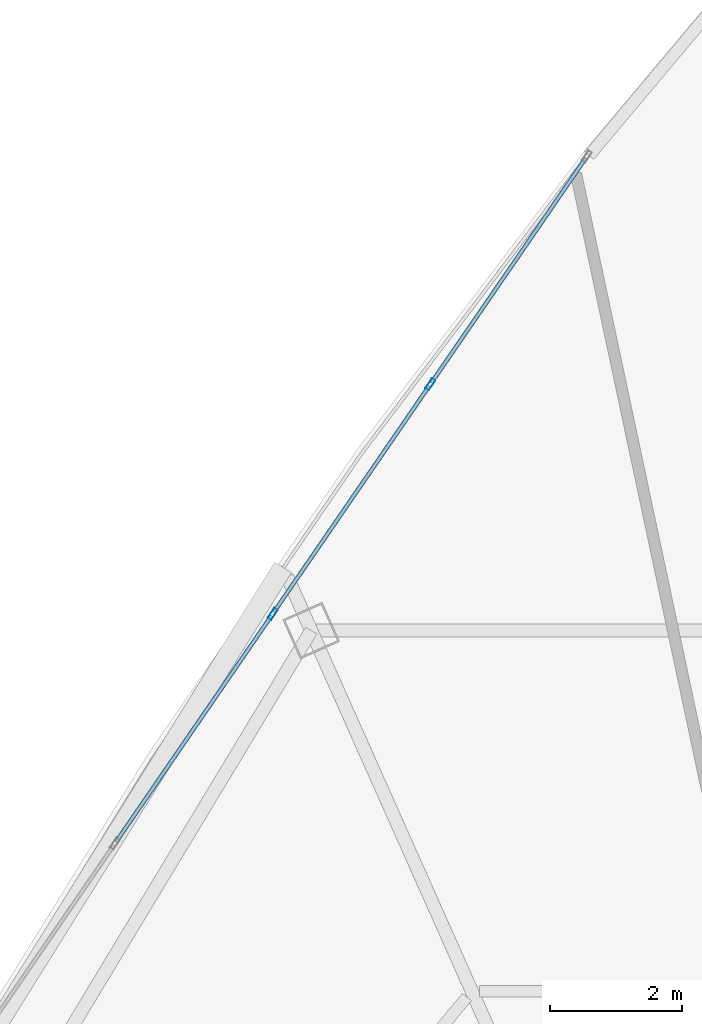
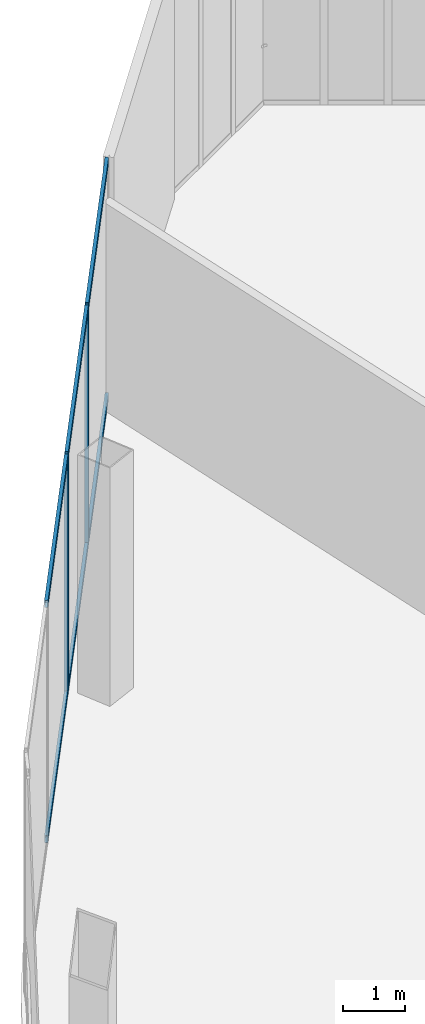
# One storey, part 23 of 33: 8 members, 1 element without a shape of its own.
"""IFC4 building model written with IfcOpenShell, lengths in metres."""

from ifc_helpers import new_model, si_unit, direction, frame, origin, origin_2d, place, context, subcontext, project, spatial, hollow_rectangle, extrude, source, transform, mapped, material, layer, layer_set, material_profile, profile_set, type_object, element, aggregate, save


model = new_model("IFC4")

# Units and contexts
model_context = context("Model", 3, precision=1e-05, world=origin(), true_north=direction((0.0, 1.0)))
body_context = subcontext(model_context, "Body", "Model", "MODEL_VIEW")
ifc_project = project(units=[si_unit("LENGTHUNIT", "METRE"), si_unit("AREAUNIT", "SQUARE_METRE"), si_unit("VOLUMEUNIT", "CUBIC_METRE"), si_unit("PLANEANGLEUNIT", "RADIAN"), si_unit("MASSUNIT", "GRAM", prefix="KILO"), si_unit("THERMODYNAMICTEMPERATUREUNIT", "KELVIN"), si_unit("POWERUNIT", "WATT")], contexts=[model_context])

# Site, building, storey
site_placement = place(None, origin())
site = spatial("IfcSite", under=ifc_project, at=site_placement, CompositionType="ELEMENT")
building_placement = place(site_placement, origin())
building = spatial("IfcBuilding", under=site, at=building_placement, Name="Yunzhuo Pagoda Commons", CompositionType="ELEMENT")
storey_placement = place(building_placement, frame((0.0, 0.0, 386.760009765625)))
storey = spatial("IfcBuildingStorey", under=building, at=storey_placement, Name="L96", CompositionType="ELEMENT", Elevation=386.760009765625)

# Curtain wall, members
ifc_material = material(Name="Anodized aluminium 6063-T6", Category="aluminium")
ifc_layer = layer(ifc_material, 0.179931640625)
ifc_layer_set = layer_set([ifc_layer], Name="Anodized aluminium 6063-T6")
curtain_wall_type = type_object("IfcCurtainWallType", Name="CW-CRN Crown Gable Glazing System", PredefinedType="NOTDEFINED", material=ifc_layer_set)
curtain_wall_placement = place(storey_placement, origin())
curtain_wall = element("IfcCurtainWall", 1, at=curtain_wall_placement, inside=storey, type_object=curtain_wall_type, Name="L96 curtain wall CW-L96-CRNF3G1", PredefinedType="NOTDEFINED")
ifc_material_profile_1 = material_profile(ifc_material, hollow_rectangle(XDim=0.06494140625, YDim=0.179931640625, WallThickness=0.00390625, at=origin_2d()), Name="Anodized aluminium 6063-T6")
ifc_profile_set_1 = profile_set([ifc_material_profile_1], Name="Anodized aluminium 6063-T6")
member_type_1 = type_object("IfcMemberType", Name="CW-CRN-M Mullion RHS 180x65x4", PredefinedType="MULLION", material=ifc_profile_set_1)
shared_shape_1 = source(origin(), body_context, "Body", "SweptSolid", [
    extrude(hollow_rectangle(XDim=0.06494140625, YDim=0.179931640625, WallThickness=0.00390625, at=origin_2d()), origin(), (0.0, 0.0, 1.0), 4.72021484375),
])
member_1_placement = place(storey_placement, frame((39.306640625, 61.014892578125, 0.0), z_axis=(0.0, 0.0, 1.0), x_axis=(0.824296116005, -0.566158911561, 0.0)))
member_1 = element("IfcMember", 2, at=member_1_placement, type_object=member_type_1, Name="CW mullion 2", PredefinedType="MULLION", context=body_context, shape_type="MappedRepresentation", body=[
    mapped(shared_shape_1, transform((0.0, 0.0, 0.0), scale=1.0)),
])
member_2_placement = place(storey_placement, frame((36.916015625, 57.5341796875, 0.0), z_axis=(0.0, 0.0, 1.0), x_axis=(0.824296116005, -0.566158911561, 0.0)))
member_2 = element("IfcMember", 3, at=member_2_placement, type_object=member_type_1, Name="CW mullion 3", PredefinedType="MULLION", context=body_context, shape_type="MappedRepresentation", body=[
    mapped(shared_shape_1, transform((0.0, 0.0, 0.0), scale=1.0)),
])
ifc_material_profile_2 = material_profile(ifc_material, hollow_rectangle(XDim=0.06005859375, YDim=0.139892578125, WallThickness=0.00341796875, at=origin_2d()), Name="Anodized aluminium 6063-T6")
ifc_profile_set_2 = profile_set([ifc_material_profile_2], Name="Anodized aluminium 6063-T6")
member_type_2 = type_object("IfcMemberType", Name="CW-CRN-T Transom RHS 140x60x3.5", PredefinedType="USERDEFINED", material=ifc_profile_set_2)
shared_shape_2 = source(origin(), body_context, "Body", "SweptSolid", [
    extrude(hollow_rectangle(XDim=0.06005859375, YDim=0.139892578125, WallThickness=0.00341796875, at=origin_2d()), origin(), (0.0, 0.0, 1.0), 4.12548828125),
])
member_3_placement = place(storey_placement, frame((41.660888671875, 64.442138671875, 0.030029296875), z_axis=(-0.566159568277, -0.824295664946, 0.0), x_axis=(0.824295664946, -0.566159568277, 0.0)))
member_3 = element("IfcMember", 4, at=member_3_placement, type_object=member_type_2, Name="CW transom 1.1", ObjectType="TRANSOM", PredefinedType="USERDEFINED", context=body_context, shape_type="MappedRepresentation", body=[
    mapped(shared_shape_2, transform((0.0, 0.0, 0.0), scale=1.0)),
])
member_4_placement = place(storey_placement, frame((41.660888671875, 64.442138671875, 4.68994140625), z_axis=(-0.566159568277, -0.824295664946, 0.0), x_axis=(0.824295664946, -0.566159568277, 0.0)))
member_4 = element("IfcMember", 5, at=member_4_placement, type_object=member_type_2, Name="CW transom 1.2", ObjectType="TRANSOM", PredefinedType="USERDEFINED", context=body_context, shape_type="MappedRepresentation", body=[
    mapped(shared_shape_2, transform((0.0, 0.0, 0.0), scale=1.0)),
])
shared_shape_3 = source(origin(), body_context, "Body", "SweptSolid", [
    extrude(hollow_rectangle(XDim=0.06005859375, YDim=0.139892578125, WallThickness=0.00341796875, at=origin_2d()), origin(), (0.0, 0.0, 1.0), 4.15771484375),
])
member_5_placement = place(storey_placement, frame((39.288330078125, 60.988037109375, 0.030029296875), z_axis=(-0.566164930277, -0.824291982082, 0.0), x_axis=(0.824291982082, -0.566164930277, 0.0)))
member_5 = element("IfcMember", 6, at=member_5_placement, type_object=member_type_2, Name="CW transom 2.1", ObjectType="TRANSOM", PredefinedType="USERDEFINED", context=body_context, shape_type="MappedRepresentation", body=[
    mapped(shared_shape_3, transform((0.0, 0.0, 0.0), scale=1.0)),
])
member_6_placement = place(storey_placement, frame((39.288330078125, 60.988037109375, 4.68994140625), z_axis=(-0.566164930277, -0.824291982082, 0.0), x_axis=(0.824291982082, -0.566164930277, 0.0)))
member_6 = element("IfcMember", 7, at=member_6_placement, type_object=member_type_2, Name="CW transom 2.2", ObjectType="TRANSOM", PredefinedType="USERDEFINED", context=body_context, shape_type="MappedRepresentation", body=[
    mapped(shared_shape_3, transform((0.0, 0.0, 0.0), scale=1.0)),
])
member_7_placement = place(storey_placement, frame((36.897705078125, 57.50732421875, 0.030029296875), z_axis=(-0.566164930277, -0.824291982082, 0.0), x_axis=(0.824291982082, -0.566164930277, 0.0)))
member_7 = element("IfcMember", 8, at=member_7_placement, type_object=member_type_2, Name="CW transom 3.1", ObjectType="TRANSOM", PredefinedType="USERDEFINED", context=body_context, shape_type="MappedRepresentation", body=[
    mapped(shared_shape_3, transform((0.0, 0.0, 0.0), scale=1.0)),
])
member_8_placement = place(storey_placement, frame((36.897705078125, 57.50732421875, 4.68994140625), z_axis=(-0.566164930277, -0.824291982082, 0.0), x_axis=(0.824291982082, -0.566164930277, 0.0)))
member_8 = element("IfcMember", 9, at=member_8_placement, type_object=member_type_2, Name="CW transom 3.2", ObjectType="TRANSOM", PredefinedType="USERDEFINED", context=body_context, shape_type="MappedRepresentation", body=[
    mapped(shared_shape_3, transform((0.0, 0.0, 0.0), scale=1.0)),
])
aggregate(curtain_wall, [member_1, member_2, member_3, member_4, member_5, member_6, member_7, member_8])

save(model, "model.ifc")
